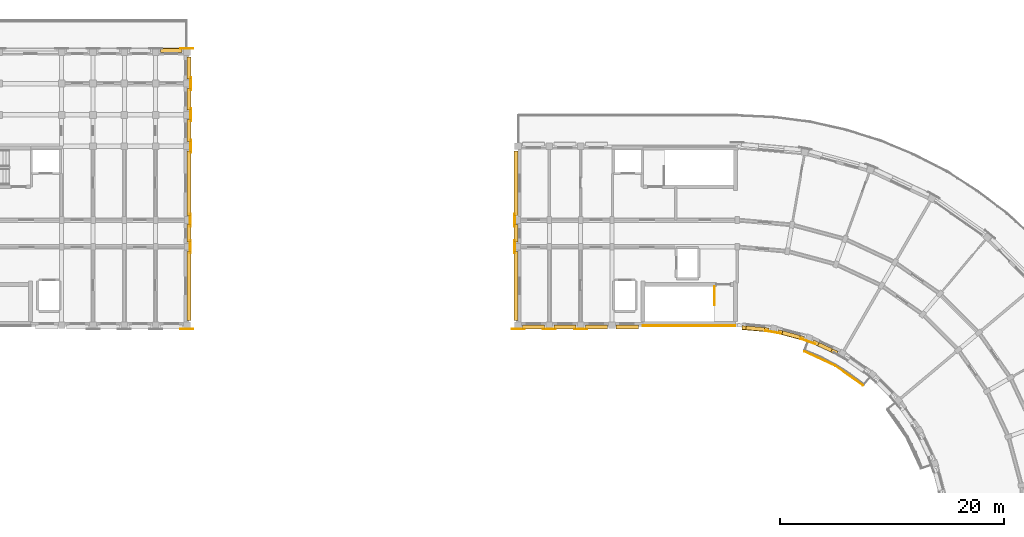
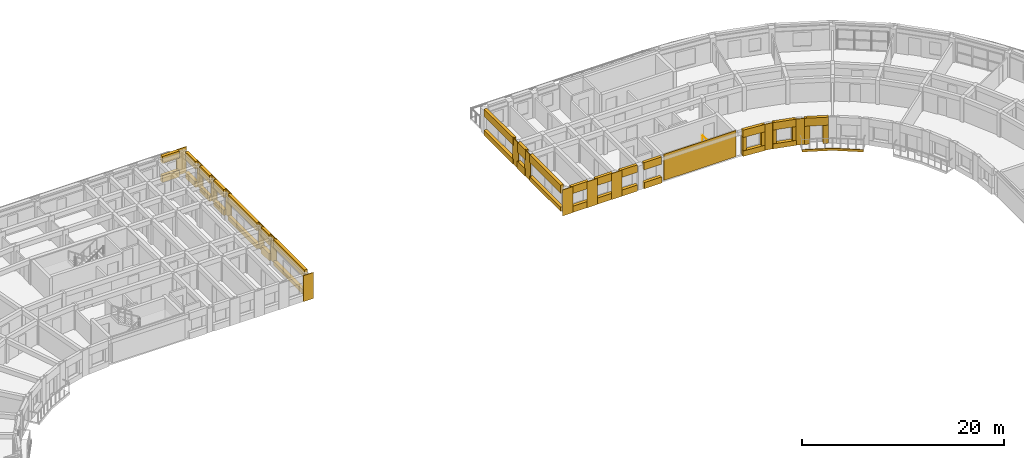
# One storey, part 29 of 32: 55 coverings, 1 railing.
"""IFC4 building model written with IfcOpenShell, lengths in metres."""

from ifc_helpers import new_model, si_unit, direction, frame, origin, origin_2d, place, context, subcontext, project, spatial, polyline, circle, outline, extrude, material, layer, layer_set, type_object, element, save


model = new_model("IFC4")

# Units and contexts
model_context = context("Model", 3, precision=1e-05, world=origin(), true_north=direction((0.0, 1.0)))
body_context = subcontext(model_context, "Body", "Model", "MODEL_VIEW")
ifc_project = project(units=[si_unit("LENGTHUNIT", "METRE"), si_unit("AREAUNIT", "SQUARE_METRE"), si_unit("VOLUMEUNIT", "CUBIC_METRE"), si_unit("PLANEANGLEUNIT", "RADIAN"), si_unit("MASSUNIT", "GRAM", prefix="KILO")], contexts=[model_context])

# Site, building, storey
site_placement = place(None, origin())
site = spatial("IfcSite", under=ifc_project, at=site_placement, CompositionType="ELEMENT")
building_placement = place(site_placement, origin())
building = spatial("IfcBuilding", under=site, at=building_placement, Name="Kiranvali Square Residences", CompositionType="ELEMENT")
storey_placement = place(building_placement, frame((0.0, 0.0, 40.199951171875)))
storey = spatial("IfcBuildingStorey", under=building, at=storey_placement, Name="L12", CompositionType="ELEMENT", Elevation=40.199951171875)

# Coverings
ifc_material_1 = material(Name="Carved Porbandar limestone classical entablature and cornice", Category="masonry")
ifc_layer_1 = layer(ifc_material_1, 0.06201171875)
ifc_layer_set_1 = layer_set([ifc_layer_1], Name="Carved Porbandar limestone classical entablature and cornice")
covering_type_1 = type_object("IfcCoveringType", Name="COV-CLAD-GBAL", PredefinedType="CLADDING", material=ifc_layer_set_1)
covering_1_placement = place(storey_placement, frame((0.0, 0.0, -0.219970703125)))
element("IfcCovering", 1, at=covering_1_placement, inside=storey, type_object=covering_type_1, Name="Block B L12 garden balcony limestone fascia 1", PredefinedType="CLADDING", context=body_context, shape_type="SweptSolid", body=[
    extrude(outline(polyline([(125.778564453125, 104.225830078125), (128.5400390625, 102.938232421875), (131.035888671875, 101.1904296875), (131.07958984375, 101.242431640625), (128.573974609375, 102.9970703125), (125.8017578125, 104.289794921875), (125.778564453125, 104.225830078125)])), origin(), (0.0, 0.0, 1.0), 0.27001953125),
])
ifc_material_2 = material(Name="Honed Porbandar limestone ashlar facade cladding", Category="masonry")
ifc_layer_2 = layer(ifc_material_2, 0.3798828125)
ifc_layer_set_2 = layer_set([ifc_layer_2], Name="Honed Porbandar limestone ashlar facade cladding")
covering_type_2 = type_object("IfcCoveringType", Name="COV-CLAD-JAMB", PredefinedType="CLADDING", material=ifc_layer_set_2)
covering_2_placement = place(storey_placement, frame((0.0, 0.0, 0.652099609375)))
element("IfcCovering", 2, at=covering_2_placement, inside=storey, type_object=covering_type_2, Name="L12 deep limestone window jamb reveal B-L12-GDN-00.L", PredefinedType="CLADDING", context=body_context, shape_type="SweptSolid", body=[
    extrude(outline(polyline([(120.208740234375, 106.222900390625), (120.580810546875, 106.1904296875), (120.6103515625, 106.528564453125), (120.23828125, 106.56103515625), (120.208740234375, 106.222900390625)])), origin(), (0.0, 0.0, 1.0), 1.599853515625),
])
covering_3_placement = place(storey_placement, frame((0.0, 0.0, 0.652099609375)))
element("IfcCovering", 3, at=covering_3_placement, inside=storey, type_object=covering_type_2, Name="L12 deep limestone window jamb reveal B-L12-GDN-00.R", PredefinedType="CLADDING", context=body_context, shape_type="SweptSolid", body=[
    extrude(outline(polyline([(122.224609375, 106.046630859375), (122.5966796875, 106.013916015625), (122.626220703125, 106.352294921875), (122.254150390625, 106.384765625), (122.224609375, 106.046630859375)])), origin(), (0.0, 0.0, 1.0), 1.599853515625),
])
covering_4_placement = place(storey_placement, frame((0.0, 0.0, 0.60205078125)))
element("IfcCovering", 4, at=covering_4_placement, inside=storey, type_object=covering_type_2, Name="L12 deep limestone window jamb reveal B-L12-GDN-01.L", PredefinedType="CLADDING", context=body_context, shape_type="SweptSolid", body=[
    extrude(outline(polyline([(123.401611328125, 105.8720703125), (123.78662109375, 105.76904296875), (123.87451171875, 106.096923828125), (123.489501953125, 106.199951171875), (123.401611328125, 105.8720703125)])), origin(), (0.0, 0.0, 1.0), 1.64990234375),
])
covering_5_placement = place(storey_placement, frame((0.0, 0.0, 0.60205078125)))
element("IfcCovering", 5, at=covering_5_placement, inside=storey, type_object=covering_type_2, Name="L12 deep limestone window jamb reveal B-L12-GDN-01.R", PredefinedType="CLADDING", context=body_context, shape_type="SweptSolid", body=[
    extrude(outline(polyline([(125.33203125, 105.354736328125), (125.717041015625, 105.251708984375), (125.804931640625, 105.57958984375), (125.419921875, 105.682861328125), (125.33203125, 105.354736328125)])), origin(), (0.0, 0.0, 1.0), 1.64990234375),
])
covering_6_placement = place(storey_placement, origin())
element("IfcCovering", 6, at=covering_6_placement, inside=storey, type_object=covering_type_2, Name="L12 deep limestone window jamb reveal B-L12-GDN-02.L", PredefinedType="CLADDING", context=body_context, shape_type="SweptSolid", body=[
    extrude(outline(polyline([(126.485107421875, 104.97216796875), (126.982177734375, 104.740234375), (127.125732421875, 105.048095703125), (126.62841796875, 105.27978515625), (126.485107421875, 104.97216796875)])), origin(), (0.0, 0.0, 1.0), 2.179931640625),
])
covering_7_placement = place(storey_placement, origin())
element("IfcCovering", 7, at=covering_7_placement, inside=storey, type_object=covering_type_2, Name="L12 deep limestone window jamb reveal B-L12-GDN-02.R", PredefinedType="CLADDING", context=body_context, shape_type="SweptSolid", body=[
    extrude(outline(polyline([(128.160400390625, 104.19091796875), (128.657470703125, 103.958984375), (128.801025390625, 104.266845703125), (128.303955078125, 104.49853515625), (128.160400390625, 104.19091796875)])), origin(), (0.0, 0.0, 1.0), 2.179931640625),
])
ifc_layer_3 = layer(ifc_material_2, 0.06494140625)
ifc_layer_set_3 = layer_set([ifc_layer_3], Name="Honed Porbandar limestone ashlar facade cladding")
covering_type_3 = type_object("IfcCoveringType", Name="COV-CLAD-PIER", PredefinedType="CLADDING", material=ifc_layer_set_3)
covering_8_placement = place(storey_placement, frame((0.0, 0.0, 0.005126953125)))
element("IfcCovering", 8, at=covering_8_placement, inside=storey, type_object=covering_type_3, Name="Block B L12 garden stair limestone ashlar cladding", PredefinedType="CLADDING", context=body_context, shape_type="SweptSolid", body=[
    extrude(outline(polyline([(119.60009765625, 106.597900390625), (111.35009765625, 106.597900390625), (111.35009765625, 106.52001953125), (119.60009765625, 106.52001953125), (119.60009765625, 106.597900390625)])), origin(), (0.0, 0.0, 1.0), 3.139892578125),
])
ifc_layer_4 = layer(ifc_material_2, 0.050048828125)
ifc_layer_set_4 = layer_set([ifc_layer_4], Name="Honed Porbandar limestone ashlar facade cladding")
covering_type_4 = type_object("IfcCoveringType", Name="COV-CLAD-PIER-IN", PredefinedType="CLADDING", material=ifc_layer_set_4)
covering_9_placement = place(storey_placement, frame((0.0, 0.0, 0.005126953125)))
element("IfcCovering", 9, at=covering_9_placement, inside=storey, type_object=covering_type_4, Name="L12 Classical limestone pilaster casing CLAD-PRA1I-A-L12-U224", PredefinedType="CLADDING", context=body_context, shape_type="SweptSolid", body=[
    extrude(outline(polyline([(70.02001953125, 106.23193359375), (71.179931640625, 106.23193359375), (71.179931640625, 106.299560546875), (70.02001953125, 106.299560546875), (70.02001953125, 106.23193359375)])), origin(), (0.0, 0.0, 1.0), 3.139892578125),
])
covering_10_placement = place(storey_placement, frame((0.0, 0.0, 0.005126953125)))
element("IfcCovering", 10, at=covering_10_placement, inside=storey, type_object=covering_type_4, Name="L12 Classical garden courtyard pilaster CLAD-PRIN-B-L12-A01", PredefinedType="CLADDING", context=body_context, shape_type="SweptSolid", body=[
    extrude(outline(polyline([(122.311279296875, 106.073486328125), (123.68994140625, 105.830322265625), (123.70166015625, 105.89697265625), (122.322998046875, 106.139892578125), (122.311279296875, 106.073486328125)])), origin(), (0.0, 0.0, 1.0), 3.139892578125),
])
covering_11_placement = place(storey_placement, frame((0.0, 0.0, 0.005126953125)))
element("IfcCovering", 11, at=covering_11_placement, inside=storey, type_object=covering_type_4, Name="L12 Classical garden courtyard pilaster CLAD-PRIN-B-L12-A02", PredefinedType="CLADDING", context=body_context, shape_type="SweptSolid", body=[
    extrude(outline(polyline([(125.4462890625, 105.35986328125), (126.761962890625, 104.881103515625), (126.784912109375, 104.9443359375), (125.469482421875, 105.42333984375), (125.4462890625, 105.35986328125)])), origin(), (0.0, 0.0, 1.0), 3.139892578125),
])
covering_12_placement = place(storey_placement, frame((0.0, 0.0, 0.005126953125)))
element("IfcCovering", 12, at=covering_12_placement, inside=storey, type_object=covering_type_4, Name="L12 Classical limestone pilaster casing CLAD-PRA1I-B-L12-U140", PredefinedType="CLADDING", context=body_context, shape_type="SweptSolid", body=[
    extrude(outline(polyline([(106.3798828125, 106.299560546875), (105.219970703125, 106.299560546875), (105.219970703125, 106.23193359375), (106.3798828125, 106.23193359375), (106.3798828125, 106.299560546875)])), origin(), (0.0, 0.0, 1.0), 3.139892578125),
])
covering_13_placement = place(storey_placement, frame((0.0, 0.0, 0.005126953125)))
element("IfcCovering", 13, at=covering_13_placement, inside=storey, type_object=covering_type_4, Name="L12 Classical limestone pilaster casing CLAD-PRA1I-B-L12-U167", PredefinedType="CLADDING", context=body_context, shape_type="SweptSolid", body=[
    extrude(outline(polyline([(103.580078125, 106.299560546875), (102.419921875, 106.299560546875), (102.419921875, 106.23193359375), (103.580078125, 106.23193359375), (103.580078125, 106.299560546875)])), origin(), (0.0, 0.0, 1.0), 3.139892578125),
])
covering_14_placement = place(storey_placement, frame((0.0, 0.0, 0.005126953125)))
element("IfcCovering", 14, at=covering_14_placement, inside=storey, type_object=covering_type_4, Name="L12 Classical limestone pilaster casing CLAD-PRA1I-B-L12-U195", PredefinedType="CLADDING", context=body_context, shape_type="SweptSolid", body=[
    extrude(outline(polyline([(100.780029296875, 106.299560546875), (99.6201171875, 106.299560546875), (99.6201171875, 106.23193359375), (100.780029296875, 106.23193359375), (100.780029296875, 106.299560546875)])), origin(), (0.0, 0.0, 1.0), 3.139892578125),
])
ifc_layer_5 = layer(ifc_material_2, 0.054931640625)
ifc_layer_set_5 = layer_set([ifc_layer_5], Name="Honed Porbandar limestone ashlar facade cladding")
covering_type_5 = type_object("IfcCoveringType", Name="COV-CLAD-PIER-UP", PredefinedType="CLADDING", material=ifc_layer_set_5)
covering_15_placement = place(storey_placement, frame((0.0, 0.0, 0.005126953125)))
element("IfcCovering", 15, at=covering_15_placement, inside=storey, type_object=covering_type_5, Name="L12 Classical limestone pilaster casing CLAD-PR-A-L12-U224", PredefinedType="CLADDING", context=body_context, shape_type="SweptSolid", body=[
    extrude(outline(polyline([(70.02001953125, 131.300537109375), (71.179931640625, 131.300537109375), (71.179931640625, 131.367919921875), (70.02001953125, 131.367919921875), (70.02001953125, 131.300537109375)])), origin(), (0.0, 0.0, 1.0), 3.139892578125),
])
covering_16_placement = place(storey_placement, frame((0.0, 0.0, 0.005126953125)))
element("IfcCovering", 16, at=covering_16_placement, inside=storey, type_object=covering_type_5, Name="L12 Classical limestone pilaster casing CLAD-PRA1E-A-L12-R258", PredefinedType="CLADDING", context=body_context, shape_type="SweptSolid", body=[
    extrude(outline(polyline([(70.91796875, 113.02001953125), (70.91796875, 114.179931640625), (70.8505859375, 114.179931640625), (70.8505859375, 113.02001953125), (70.91796875, 113.02001953125)])), origin(), (0.0, 0.0, 1.0), 3.139892578125),
])
covering_17_placement = place(storey_placement, frame((0.0, 0.0, 0.005126953125)))
element("IfcCovering", 17, at=covering_17_placement, inside=storey, type_object=covering_type_5, Name="L12 Classical limestone pilaster casing CLAD-PRA1E-A-L12-R282", PredefinedType="CLADDING", context=body_context, shape_type="SweptSolid", body=[
    extrude(outline(polyline([(70.91796875, 115.419921875), (70.91796875, 116.580078125), (70.8505859375, 116.580078125), (70.8505859375, 115.419921875), (70.91796875, 115.419921875)])), origin(), (0.0, 0.0, 1.0), 3.139892578125),
])
covering_18_placement = place(storey_placement, frame((0.0, 0.0, 0.005126953125)))
element("IfcCovering", 18, at=covering_18_placement, inside=storey, type_object=covering_type_5, Name="L12 Classical limestone pilaster casing CLAD-PRA1E-A-L12-R348", PredefinedType="CLADDING", context=body_context, shape_type="SweptSolid", body=[
    extrude(outline(polyline([(70.968017578125, 122.02001953125), (70.968017578125, 123.179931640625), (70.900390625, 123.179931640625), (70.900390625, 122.02001953125), (70.968017578125, 122.02001953125)])), origin(), (0.0, 0.0, 1.0), 3.139892578125),
])
covering_19_placement = place(storey_placement, frame((0.0, 0.0, 0.005126953125)))
element("IfcCovering", 19, at=covering_19_placement, inside=storey, type_object=covering_type_5, Name="L12 Classical limestone pilaster casing CLAD-PRA1E-A-L12-R376", PredefinedType="CLADDING", context=body_context, shape_type="SweptSolid", body=[
    extrude(outline(polyline([(70.968017578125, 124.820068359375), (70.968017578125, 125.97998046875), (70.900390625, 125.97998046875), (70.900390625, 124.820068359375), (70.968017578125, 124.820068359375)])), origin(), (0.0, 0.0, 1.0), 3.139892578125),
])
covering_20_placement = place(storey_placement, frame((0.0, 0.0, 0.005126953125)))
element("IfcCovering", 20, at=covering_20_placement, inside=storey, type_object=covering_type_5, Name="L12 Classical limestone pilaster casing CLAD-PRA1E-A-L12-R404", PredefinedType="CLADDING", context=body_context, shape_type="SweptSolid", body=[
    extrude(outline(polyline([(70.968017578125, 127.6201171875), (70.968017578125, 128.780029296875), (70.900390625, 128.780029296875), (70.900390625, 127.6201171875), (70.968017578125, 127.6201171875)])), origin(), (0.0, 0.0, 1.0), 3.139892578125),
])
covering_21_placement = place(storey_placement, frame((0.0, 0.0, 0.005126953125)))
element("IfcCovering", 21, at=covering_21_placement, inside=storey, type_object=covering_type_5, Name="L12 Classical limestone pilaster casing CLAD-PRA1E-B-L12-R258", PredefinedType="CLADDING", context=body_context, shape_type="SweptSolid", body=[
    extrude(outline(polyline([(99.949462890625, 113.02001953125), (99.949462890625, 114.179931640625), (99.882080078125, 114.179931640625), (99.882080078125, 113.02001953125), (99.949462890625, 113.02001953125)])), origin(), (0.0, 0.0, 1.0), 3.139892578125),
])
covering_22_placement = place(storey_placement, frame((0.0, 0.0, 0.005126953125)))
element("IfcCovering", 22, at=covering_22_placement, inside=storey, type_object=covering_type_5, Name="L12 Classical limestone pilaster casing CLAD-PRA1E-B-L12-R282", PredefinedType="CLADDING", context=body_context, shape_type="SweptSolid", body=[
    extrude(outline(polyline([(99.949462890625, 115.419921875), (99.949462890625, 116.580078125), (99.882080078125, 116.580078125), (99.882080078125, 115.419921875), (99.949462890625, 115.419921875)])), origin(), (0.0, 0.0, 1.0), 3.139892578125),
])
ifc_layer_6 = layer(ifc_material_2, 0.360107421875)
ifc_layer_set_6 = layer_set([ifc_layer_6], Name="Honed Porbandar limestone ashlar facade cladding")
covering_type_6 = type_object("IfcCoveringType", Name="COV-CLAD-WALL", PredefinedType="CLADDING", material=ifc_layer_set_6)
covering_23_placement = place(storey_placement, frame((0.0, 0.0, 2.280029296875)))
element("IfcCovering", 23, at=covering_23_placement, inside=storey, type_object=covering_type_6, Name="L12 light limestone spandrel lintel A-L12-A1O-5", PredefinedType="CLADDING", context=body_context, shape_type="SweptSolid", body=[
    extrude(outline(polyline([(68.239990234375, 131.00048828125), (70.159912109375, 131.00048828125), (70.159912109375, 131.35009765625), (68.239990234375, 131.35009765625), (68.239990234375, 131.00048828125)])), origin(), (0.0, 0.0, 1.0), 0.864990234375),
])
covering_24_placement = place(storey_placement, frame((0.0, 0.0, 2.172119140625)))
element("IfcCovering", 24, at=covering_24_placement, inside=storey, type_object=covering_type_6, Name="L12 light limestone spandrel lintel A-L12-A1END-0", PredefinedType="CLADDING", context=body_context, shape_type="SweptSolid", body=[
    extrude(outline(polyline([(70.93994140625, 107.02001953125), (70.93994140625, 113.179931640625), (70.6005859375, 113.179931640625), (70.6005859375, 107.02001953125), (70.93994140625, 107.02001953125)])), origin(), (0.0, 0.0, 1.0), 0.972900390625),
])
covering_25_placement = place(storey_placement, frame((0.0, 0.0, 1.929931640625)))
element("IfcCovering", 25, at=covering_25_placement, inside=storey, type_object=covering_type_6, Name="L12 light limestone spandrel lintel A-L12-A1END-1", PredefinedType="CLADDING", context=body_context, shape_type="SweptSolid", body=[
    extrude(outline(polyline([(70.93994140625, 114.02001953125), (70.93994140625, 115.580078125), (70.6005859375, 115.580078125), (70.6005859375, 114.02001953125), (70.93994140625, 114.02001953125)])), origin(), (0.0, 0.0, 1.0), 1.215087890625),
])
covering_26_placement = place(storey_placement, frame((0.0, 0.0, 2.172119140625)))
element("IfcCovering", 26, at=covering_26_placement, inside=storey, type_object=covering_type_6, Name="L12 light limestone spandrel lintel A-L12-A1END-2", PredefinedType="CLADDING", context=body_context, shape_type="SweptSolid", body=[
    extrude(outline(polyline([(70.93994140625, 116.419921875), (70.93994140625, 122.179931640625), (70.6005859375, 122.179931640625), (70.6005859375, 116.419921875), (70.93994140625, 116.419921875)])), origin(), (0.0, 0.0, 1.0), 0.972900390625),
])
covering_27_placement = place(storey_placement, frame((0.0, 0.0, 2.172119140625)))
element("IfcCovering", 27, at=covering_27_placement, inside=storey, type_object=covering_type_6, Name="L12 light limestone spandrel lintel A-L12-A1END-3", PredefinedType="CLADDING", context=body_context, shape_type="SweptSolid", body=[
    extrude(outline(polyline([(70.93994140625, 123.02001953125), (70.93994140625, 124.97998046875), (70.6005859375, 124.97998046875), (70.6005859375, 123.02001953125), (70.93994140625, 123.02001953125)])), origin(), (0.0, 0.0, 1.0), 0.972900390625),
])
covering_28_placement = place(storey_placement, frame((0.0, 0.0, 2.172119140625)))
element("IfcCovering", 28, at=covering_28_placement, inside=storey, type_object=covering_type_6, Name="L12 light limestone spandrel lintel A-L12-A1END-4", PredefinedType="CLADDING", context=body_context, shape_type="SweptSolid", body=[
    extrude(outline(polyline([(70.93994140625, 125.820068359375), (70.93994140625, 127.780029296875), (70.6005859375, 127.780029296875), (70.6005859375, 125.820068359375), (70.93994140625, 125.820068359375)])), origin(), (0.0, 0.0, 1.0), 0.972900390625),
])
covering_29_placement = place(storey_placement, frame((0.0, 0.0, 2.212158203125)))
element("IfcCovering", 29, at=covering_29_placement, inside=storey, type_object=covering_type_6, Name="L12 light limestone spandrel lintel A-L12-A1END-5", PredefinedType="CLADDING", context=body_context, shape_type="SweptSolid", body=[
    extrude(outline(polyline([(70.93994140625, 128.6201171875), (70.93994140625, 130.580078125), (70.6005859375, 130.580078125), (70.6005859375, 128.6201171875), (70.93994140625, 128.6201171875)])), origin(), (0.0, 0.0, 1.0), 0.932861328125),
])
covering_30_placement = place(storey_placement, frame((0.0, 0.0, 2.251953125)))
element("IfcCovering", 30, at=covering_30_placement, inside=storey, type_object=covering_type_6, Name="L12 light limestone spandrel lintel B-L12-GDN-00", PredefinedType="CLADDING", context=body_context, shape_type="SweptSolid", body=[
    extrude(outline(polyline([(120.208740234375, 106.222900390625), (122.5966796875, 106.013916015625), (122.626220703125, 106.352294921875), (120.23828125, 106.56103515625), (120.208740234375, 106.222900390625)])), origin(), (0.0, 0.0, 1.0), 0.89306640625),
])
covering_31_placement = place(storey_placement, frame((0.0, 0.0, 2.251953125)))
element("IfcCovering", 31, at=covering_31_placement, inside=storey, type_object=covering_type_6, Name="L12 light limestone spandrel lintel B-L12-GDN-01", PredefinedType="CLADDING", context=body_context, shape_type="SweptSolid", body=[
    extrude(outline(polyline([(123.401611328125, 105.8720703125), (125.717041015625, 105.251708984375), (125.804931640625, 105.57958984375), (123.489501953125, 106.199951171875), (123.401611328125, 105.8720703125)])), origin(), (0.0, 0.0, 1.0), 0.89306640625),
])
covering_32_placement = place(storey_placement, frame((0.0, 0.0, 2.179931640625)))
element("IfcCovering", 32, at=covering_32_placement, inside=storey, type_object=covering_type_6, Name="L12 light limestone spandrel lintel B-L12-GDN-02", PredefinedType="CLADDING", context=body_context, shape_type="SweptSolid", body=[
    extrude(outline(polyline([(126.485107421875, 104.97216796875), (128.657470703125, 103.958984375), (128.801025390625, 104.266845703125), (126.62841796875, 105.27978515625), (126.485107421875, 104.97216796875)])), origin(), (0.0, 0.0, 1.0), 0.965087890625),
])
covering_33_placement = place(storey_placement, frame((0.0, 0.0, 2.251953125)))
element("IfcCovering", 33, at=covering_33_placement, inside=storey, type_object=covering_type_6, Name="L12 light limestone spandrel lintel B-L12-A1IN-0", PredefinedType="CLADDING", context=body_context, shape_type="SweptSolid", body=[
    extrude(outline(polyline([(110.949951171875, 106.599609375), (108.949951171875, 106.599609375), (108.949951171875, 106.280029296875), (110.949951171875, 106.280029296875), (110.949951171875, 106.599609375)])), origin(), (0.0, 0.0, 1.0), 0.89306640625),
])
covering_34_placement = place(storey_placement, frame((0.0, 0.0, 2.251953125)))
element("IfcCovering", 34, at=covering_34_placement, inside=storey, type_object=covering_type_6, Name="L12 light limestone spandrel lintel B-L12-A1I-0", PredefinedType="CLADDING", context=body_context, shape_type="SweptSolid", body=[
    extrude(outline(polyline([(108.179931640625, 106.599609375), (106.219970703125, 106.599609375), (106.219970703125, 106.280029296875), (108.179931640625, 106.280029296875), (108.179931640625, 106.599609375)])), origin(), (0.0, 0.0, 1.0), 0.89306640625),
])
covering_35_placement = place(storey_placement, frame((0.0, 0.0, 2.251953125)))
element("IfcCovering", 35, at=covering_35_placement, inside=storey, type_object=covering_type_6, Name="L12 light limestone spandrel lintel B-L12-A1I-1", PredefinedType="CLADDING", context=body_context, shape_type="SweptSolid", body=[
    extrude(outline(polyline([(105.3798828125, 106.599609375), (103.419921875, 106.599609375), (103.419921875, 106.280029296875), (105.3798828125, 106.280029296875), (105.3798828125, 106.599609375)])), origin(), (0.0, 0.0, 1.0), 0.89306640625),
])
covering_36_placement = place(storey_placement, frame((0.0, 0.0, 2.251953125)))
element("IfcCovering", 36, at=covering_36_placement, inside=storey, type_object=covering_type_6, Name="L12 light limestone spandrel lintel B-L12-A1I-2", PredefinedType="CLADDING", context=body_context, shape_type="SweptSolid", body=[
    extrude(outline(polyline([(102.580078125, 106.599609375), (100.6201171875, 106.599609375), (100.6201171875, 106.280029296875), (102.580078125, 106.280029296875), (102.580078125, 106.599609375)])), origin(), (0.0, 0.0, 1.0), 0.89306640625),
])
covering_37_placement = place(storey_placement, frame((0.0, 0.0, 2.152099609375)))
element("IfcCovering", 37, at=covering_37_placement, inside=storey, type_object=covering_type_6, Name="L12 light limestone spandrel lintel B-L12-A1END-0", PredefinedType="CLADDING", context=body_context, shape_type="SweptSolid", body=[
    extrude(outline(polyline([(100.199462890625, 107.02001953125), (100.199462890625, 113.179931640625), (99.860107421875, 113.179931640625), (99.860107421875, 107.02001953125), (100.199462890625, 107.02001953125)])), origin(), (0.0, 0.0, 1.0), 0.992919921875),
])
covering_38_placement = place(storey_placement, frame((0.0, 0.0, 1.929931640625)))
element("IfcCovering", 38, at=covering_38_placement, inside=storey, type_object=covering_type_6, Name="L12 light limestone spandrel lintel B-L12-A1END-1", PredefinedType="CLADDING", context=body_context, shape_type="SweptSolid", body=[
    extrude(outline(polyline([(100.199462890625, 114.02001953125), (100.199462890625, 115.580078125), (99.860107421875, 115.580078125), (99.860107421875, 114.02001953125), (100.199462890625, 114.02001953125)])), origin(), (0.0, 0.0, 1.0), 1.215087890625),
])
covering_39_placement = place(storey_placement, frame((0.0, 0.0, 2.260009765625)))
element("IfcCovering", 39, at=covering_39_placement, inside=storey, type_object=covering_type_6, Name="L12 light limestone spandrel lintel B-L12-A1END-2", PredefinedType="CLADDING", context=body_context, shape_type="SweptSolid", body=[
    extrude(outline(polyline([(100.199462890625, 116.419921875), (100.199462890625, 122.179931640625), (99.860107421875, 122.179931640625), (99.860107421875, 116.419921875), (100.199462890625, 116.419921875)])), origin(), (0.0, 0.0, 1.0), 0.885009765625),
])
ifc_layer_7 = layer(ifc_material_2, 0.320068359375)
ifc_layer_set_7 = layer_set([ifc_layer_7], Name="Honed Porbandar limestone ashlar facade cladding")
covering_type_7 = type_object("IfcCoveringType", Name="COV-CLAD-WALL-UP", PredefinedType="CLADDING", material=ifc_layer_set_7)
covering_40_placement = place(storey_placement, frame((0.0, 0.0, 0.005126953125)))
element("IfcCovering", 40, at=covering_40_placement, inside=storey, type_object=covering_type_7, Name="L12 limestone window sill apron A-L12-A1O-5", PredefinedType="CLADDING", context=body_context, shape_type="SweptSolid", body=[
    extrude(outline(polyline([(68.239990234375, 131.00048828125), (70.159912109375, 131.00048828125), (70.159912109375, 131.3798828125), (68.239990234375, 131.3798828125), (68.239990234375, 131.00048828125)])), origin(), (0.0, 0.0, 1.0), 0.824951171875),
])
covering_41_placement = place(storey_placement, frame((0.0, 0.0, 0.005126953125)))
element("IfcCovering", 41, at=covering_41_placement, inside=storey, type_object=covering_type_7, Name="L12 limestone window sill apron A-L12-A1END-0", PredefinedType="CLADDING", context=body_context, shape_type="SweptSolid", body=[
    extrude(outline(polyline([(70.969970703125, 107.02001953125), (70.969970703125, 113.179931640625), (70.6005859375, 113.179931640625), (70.6005859375, 107.02001953125), (70.969970703125, 107.02001953125)])), origin(), (0.0, 0.0, 1.0), 0.516845703125),
])
covering_42_placement = place(storey_placement, frame((0.0, 0.0, 0.005126953125)))
element("IfcCovering", 42, at=covering_42_placement, inside=storey, type_object=covering_type_7, Name="L12 limestone window sill apron A-L12-A1END-1", PredefinedType="CLADDING", context=body_context, shape_type="SweptSolid", body=[
    extrude(outline(polyline([(70.969970703125, 114.02001953125), (70.969970703125, 115.580078125), (70.6005859375, 115.580078125), (70.6005859375, 114.02001953125), (70.969970703125, 114.02001953125)])), origin(), (0.0, 0.0, 1.0), 0.875),
])
covering_43_placement = place(storey_placement, frame((0.0, 0.0, 0.005126953125)))
element("IfcCovering", 43, at=covering_43_placement, inside=storey, type_object=covering_type_7, Name="L12 limestone window sill apron A-L12-A1END-2", PredefinedType="CLADDING", context=body_context, shape_type="SweptSolid", body=[
    extrude(outline(polyline([(70.969970703125, 116.419921875), (70.969970703125, 122.179931640625), (70.6005859375, 122.179931640625), (70.6005859375, 116.419921875), (70.969970703125, 116.419921875)])), origin(), (0.0, 0.0, 1.0), 0.516845703125),
])
covering_44_placement = place(storey_placement, frame((0.0, 0.0, 0.005126953125)))
element("IfcCovering", 44, at=covering_44_placement, inside=storey, type_object=covering_type_7, Name="L12 limestone window sill apron A-L12-A1END-3", PredefinedType="CLADDING", context=body_context, shape_type="SweptSolid", body=[
    extrude(outline(polyline([(70.969970703125, 123.02001953125), (70.969970703125, 124.97998046875), (70.6005859375, 124.97998046875), (70.6005859375, 123.02001953125), (70.969970703125, 123.02001953125)])), origin(), (0.0, 0.0, 1.0), 0.6669921875),
])
covering_45_placement = place(storey_placement, frame((0.0, 0.0, 0.005126953125)))
element("IfcCovering", 45, at=covering_45_placement, inside=storey, type_object=covering_type_7, Name="L12 limestone window sill apron A-L12-A1END-4", PredefinedType="CLADDING", context=body_context, shape_type="SweptSolid", body=[
    extrude(outline(polyline([(70.969970703125, 125.820068359375), (70.969970703125, 127.780029296875), (70.6005859375, 127.780029296875), (70.6005859375, 125.820068359375), (70.969970703125, 125.820068359375)])), origin(), (0.0, 0.0, 1.0), 0.6669921875),
])
covering_46_placement = place(storey_placement, frame((0.0, 0.0, 0.005126953125)))
element("IfcCovering", 46, at=covering_46_placement, inside=storey, type_object=covering_type_7, Name="L12 limestone window sill apron A-L12-A1END-5", PredefinedType="CLADDING", context=body_context, shape_type="SweptSolid", body=[
    extrude(outline(polyline([(70.969970703125, 128.6201171875), (70.969970703125, 130.580078125), (70.6005859375, 130.580078125), (70.6005859375, 128.6201171875), (70.969970703125, 128.6201171875)])), origin(), (0.0, 0.0, 1.0), 0.70703125),
])
covering_47_placement = place(storey_placement, frame((0.0, 0.0, 0.005126953125)))
element("IfcCovering", 47, at=covering_47_placement, inside=storey, type_object=covering_type_7, Name="L12 limestone window sill apron B-L12-GDN-00", PredefinedType="CLADDING", context=body_context, shape_type="SweptSolid", body=[
    extrude(outline(polyline([(120.2060546875, 106.193115234375), (122.593994140625, 105.984130859375), (122.626220703125, 106.352294921875), (120.23828125, 106.56103515625), (120.2060546875, 106.193115234375)])), origin(), (0.0, 0.0, 1.0), 0.64697265625),
])
covering_48_placement = place(storey_placement, frame((0.0, 0.0, 0.005126953125)))
element("IfcCovering", 48, at=covering_48_placement, inside=storey, type_object=covering_type_7, Name="L12 limestone window sill apron B-L12-GDN-01", PredefinedType="CLADDING", context=body_context, shape_type="SweptSolid", body=[
    extrude(outline(polyline([(123.393798828125, 105.843017578125), (125.709228515625, 105.22265625), (125.804931640625, 105.57958984375), (123.489501953125, 106.199951171875), (123.393798828125, 105.843017578125)])), origin(), (0.0, 0.0, 1.0), 0.596923828125),
])
covering_49_placement = place(storey_placement, frame((0.0, 0.0, 0.005126953125)))
element("IfcCovering", 49, at=covering_49_placement, inside=storey, type_object=covering_type_7, Name="L12 limestone window sill apron B-L12-A1IN-0", PredefinedType="CLADDING", context=body_context, shape_type="SweptSolid", body=[
    extrude(outline(polyline([(110.949951171875, 106.599609375), (108.949951171875, 106.599609375), (108.949951171875, 106.25), (110.949951171875, 106.25), (110.949951171875, 106.599609375)])), origin(), (0.0, 0.0, 1.0), 0.746826171875),
])
covering_50_placement = place(storey_placement, frame((0.0, 0.0, 0.005126953125)))
element("IfcCovering", 50, at=covering_50_placement, inside=storey, type_object=covering_type_7, Name="L12 limestone window sill apron B-L12-A1I-0", PredefinedType="CLADDING", context=body_context, shape_type="SweptSolid", body=[
    extrude(outline(polyline([(108.179931640625, 106.599609375), (106.219970703125, 106.599609375), (106.219970703125, 106.25), (108.179931640625, 106.25), (108.179931640625, 106.599609375)])), origin(), (0.0, 0.0, 1.0), 0.746826171875),
])
covering_51_placement = place(storey_placement, frame((0.0, 0.0, 0.005126953125)))
element("IfcCovering", 51, at=covering_51_placement, inside=storey, type_object=covering_type_7, Name="L12 limestone window sill apron B-L12-A1I-1", PredefinedType="CLADDING", context=body_context, shape_type="SweptSolid", body=[
    extrude(outline(polyline([(105.3798828125, 106.599609375), (103.419921875, 106.599609375), (103.419921875, 106.25), (105.3798828125, 106.25), (105.3798828125, 106.599609375)])), origin(), (0.0, 0.0, 1.0), 0.746826171875),
])
covering_52_placement = place(storey_placement, frame((0.0, 0.0, 0.005126953125)))
element("IfcCovering", 52, at=covering_52_placement, inside=storey, type_object=covering_type_7, Name="L12 limestone window sill apron B-L12-A1I-2", PredefinedType="CLADDING", context=body_context, shape_type="SweptSolid", body=[
    extrude(outline(polyline([(102.580078125, 106.599609375), (100.6201171875, 106.599609375), (100.6201171875, 106.25), (102.580078125, 106.25), (102.580078125, 106.599609375)])), origin(), (0.0, 0.0, 1.0), 0.746826171875),
])
covering_53_placement = place(storey_placement, frame((0.0, 0.0, 0.005126953125)))
element("IfcCovering", 53, at=covering_53_placement, inside=storey, type_object=covering_type_7, Name="L12 limestone window sill apron B-L12-A1END-0", PredefinedType="CLADDING", context=body_context, shape_type="SweptSolid", body=[
    extrude(outline(polyline([(100.199462890625, 107.02001953125), (100.199462890625, 113.179931640625), (99.830078125, 113.179931640625), (99.830078125, 107.02001953125), (100.199462890625, 107.02001953125)])), origin(), (0.0, 0.0, 1.0), 0.496826171875),
])
covering_54_placement = place(storey_placement, frame((0.0, 0.0, 0.005126953125)))
element("IfcCovering", 54, at=covering_54_placement, inside=storey, type_object=covering_type_7, Name="L12 limestone window sill apron B-L12-A1END-1", PredefinedType="CLADDING", context=body_context, shape_type="SweptSolid", body=[
    extrude(outline(polyline([(100.199462890625, 114.02001953125), (100.199462890625, 115.580078125), (99.830078125, 115.580078125), (99.830078125, 114.02001953125), (100.199462890625, 114.02001953125)])), origin(), (0.0, 0.0, 1.0), 0.875),
])
covering_55_placement = place(storey_placement, frame((0.0, 0.0, 0.005126953125)))
element("IfcCovering", 55, at=covering_55_placement, inside=storey, type_object=covering_type_7, Name="L12 limestone window sill apron B-L12-A1END-2", PredefinedType="CLADDING", context=body_context, shape_type="SweptSolid", body=[
    extrude(outline(polyline([(100.199462890625, 116.419921875), (100.199462890625, 122.179931640625), (99.830078125, 122.179931640625), (99.830078125, 116.419921875), (100.199462890625, 116.419921875)])), origin(), (0.0, 0.0, 1.0), 0.60498046875),
])

# Railing
ifc_material_3 = material(Name="Powder-coated architectural bronze balustrade", Category="steel")
railing_type = type_object("IfcRailingType", Name="RL-ST-GUARD-1200", PredefinedType="GUARDRAIL", material=ifc_material_3)
railing_placement = place(storey_placement, frame((117.75, 110.050048828125, 0.0)))
element("IfcRailing", 56, at=railing_placement, inside=storey, type_object=railing_type, Name="L12 ST-B2 top well guard 1", PredefinedType="GUARDRAIL", context=body_context, shape_type="SweptSolid", body=[
    extrude(circle(Radius=0.02392578125, at=origin_2d()), frame((0.0, 0.0, 1.1259765625), z_axis=(0.0, -1.0, 0.0), x_axis=(1.0, 0.0, 0.0)), (0.0, 0.0, 1.0), 1.650146484375),
    extrude(circle(Radius=0.02099609375, at=origin_2d()), origin(), (0.0, 0.0, 1.0), 1.101806640625),
    extrude(circle(Radius=0.02099609375, at=origin_2d()), frame((0.0, -0.8251953125, 0.0)), (0.0, 0.0, 1.0), 1.101806640625),
    extrude(circle(Radius=0.02099609375, at=origin_2d()), frame((0.0, -1.650146484375, 0.0)), (0.0, 0.0, 1.0), 1.101806640625),
])

save(model, "model.ifc")
